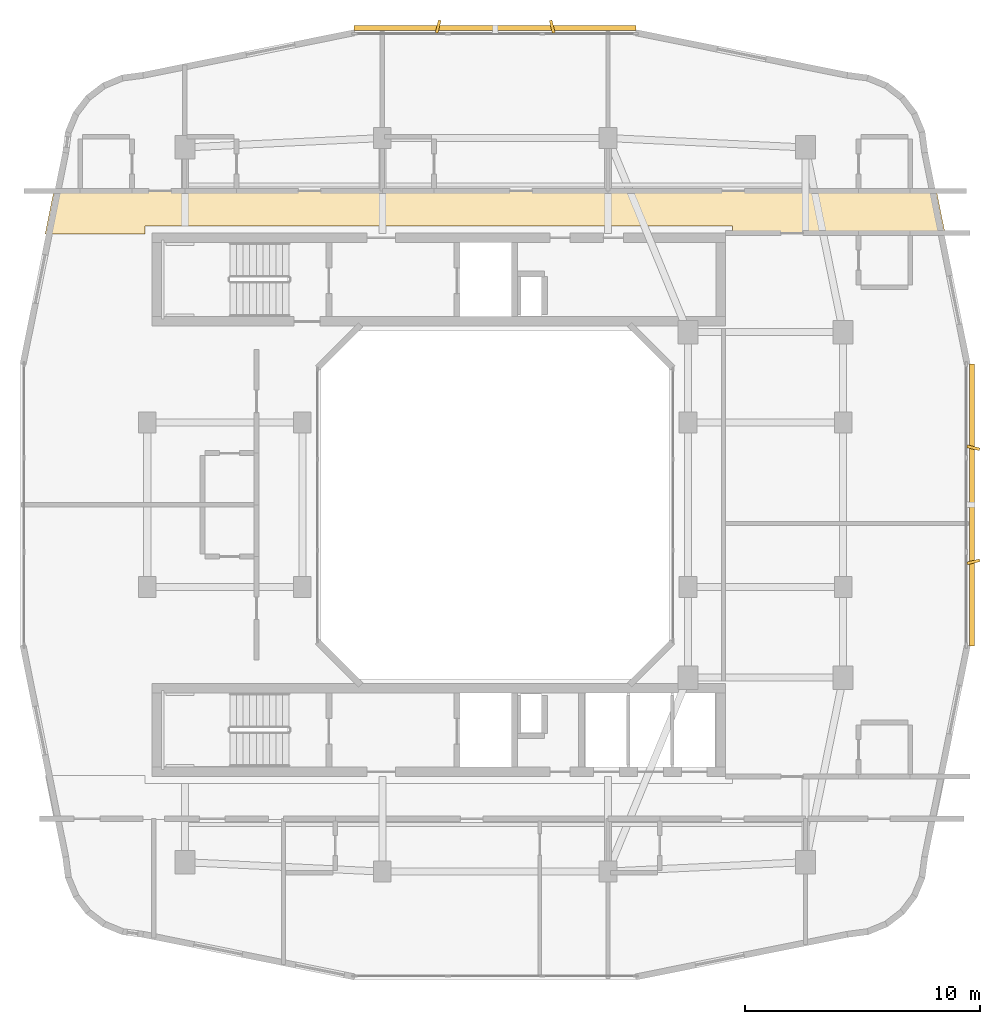
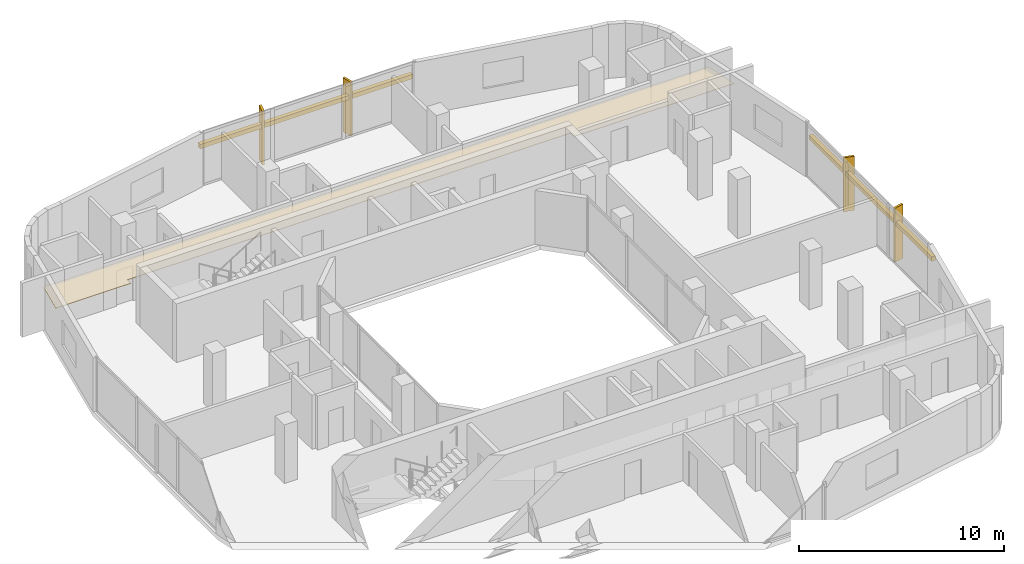
# One storey, part 14 of 14: 6 shading devices, 1 covering.
"""IFC4 building model written with IfcOpenShell, lengths in metres."""

from ifc_helpers import new_model, si_unit, derived_unit, direction, frame, origin, origin_2d, place, context, subcontext, project, spatial, polyline, rectangle, outline, extrude, material, layer, layer_set, type_object, element, save


model = new_model("IFC4")

# Units and contexts
model_context = context("Model", 3, precision=1e-05, world=origin(), true_north=direction((0.0, 1.0)))
body_context = subcontext(model_context, "Body", "Model", "MODEL_VIEW")
ifc_project = project(units=[si_unit("LENGTHUNIT", "METRE"), si_unit("AREAUNIT", "SQUARE_METRE"), si_unit("VOLUMEUNIT", "CUBIC_METRE"), si_unit("PLANEANGLEUNIT", "RADIAN"), si_unit("MASSUNIT", "GRAM", prefix="KILO"), derived_unit("THERMALTRANSMITTANCEUNIT", [(si_unit("POWERUNIT", "WATT"), 1), (si_unit("LENGTHUNIT", "METRE"), -2), (si_unit("THERMODYNAMICTEMPERATUREUNIT", "KELVIN"), -1)])], contexts=[model_context])

# Site, building, storey
site_placement = place(None, origin())
site = spatial("IfcSite", under=ifc_project, at=site_placement, CompositionType="ELEMENT")
building_placement = place(site_placement, origin())
building = spatial("IfcBuilding", under=site, at=building_placement, Name="Kivonza Crest Hotel", CompositionType="ELEMENT")
storey_placement = place(building_placement, frame((0.0, 0.0, 162.5)))
storey = spatial("IfcBuildingStorey", under=building, at=storey_placement, Name="L44", CompositionType="ELEMENT", Elevation=162.5)

# Covering
ifc_material_1 = material(Name="Moisture-resistant gypsum plasterboard ceiling", Category="gypsum")
ifc_layer = layer(ifc_material_1, 0.030029296875)
ifc_layer_set = layer_set([ifc_layer], Name="Moisture-resistant gypsum plasterboard ceiling")
covering_type = type_object("IfcCoveringType", Name="CV-CEIL-GYP", PredefinedType="CEILING", material=ifc_layer_set)
covering_placement = place(storey_placement, frame((0.0, 0.0, 2.449951171875)))
element("IfcCovering", 1, at=covering_placement, inside=storey, type_object=covering_type, Name="L44 Hotel North Guest Corridor suspended ceiling", PredefinedType="CEILING", context=body_context, shape_type="SweptSolid", body=[
    extrude(outline(polyline([(2.235107421875, 38.389892578125), (1.85791015625, 36.52001953125), (6.10009765625, 36.52001953125), (6.10009765625, 36.860107421875), (31.10009765625, 36.860107421875), (31.10009765625, 36.52001953125), (40.14208984375, 36.52001953125), (39.764892578125, 38.389892578125), (2.235107421875, 38.389892578125)])), origin(), (0.0, 0.0, 1.0), 0.030029296875),
])

# Shading devices
ifc_material_2 = material(Name="Kiln-fired Nairobi red-ochre terracotta", Category="masonry")
shading_device_type_1 = type_object("IfcShadingDeviceType", Name="SH-BAGUETTE-300", PredefinedType="USERDEFINED", material=ifc_material_2)
for number, where, z_axis, x_axis, name in (
    (2, (41.280029296875, 25.0, 2.1240234375), (0.0, 0.0, 1.0), (0.0, 1.0, 0.0), "L44 terracotta baguette screen CW-T1-L44-17"),
    (3, (21.0, 45.280029296875, 2.1240234375), (0.0, 0.0, 1.0), (-1.0, 0.0, 0.0), "L44 terracotta baguette screen CW-T1-L44-26"),
):
    element("IfcShadingDevice", number, at=place(storey_placement, frame(where, z_axis=z_axis, x_axis=x_axis)), inside=storey, type_object=shading_device_type_1, Name=name, ObjectType="BAGUETTE", PredefinedType="USERDEFINED", context=body_context, shape_type="SweptSolid", body=[
        extrude(rectangle(XDim=12.0, YDim=0.219970703125, at=origin_2d()), origin(), (0.0, 0.0, 1.0), 0.260009765625),
    ])
ifc_material_3 = material(Name="Kiln-fired terracotta over extruded aluminium spine", Category="masonry")
shading_device_type_2 = type_object("IfcShadingDeviceType", Name="SH-FIN-550", PredefinedType="USERDEFINED", material=ifc_material_3)
for number, where, z_axis, x_axis, name in (
    (4, (41.340087890625, 22.575927734375, 0.0), (0.0, 0.0, 1.0), (-0.2419218956, 0.970295726276, 0.0), "L44 vertical solar shading fin CW-T1-L44-17-1"),
    (5, (41.340087890625, 27.424072265625, 0.0), (0.0, 0.0, 1.0), (0.2419218956, 0.970295726276, 0.0), "L44 vertical solar shading fin CW-T1-L44-17-2"),
    (6, (23.424072265625, 45.340087890625, 0.0), (0.0, 0.0, 1.0), (-0.970295726276, -0.2419218956, 0.0), "L44 vertical solar shading fin CW-T1-L44-26-1"),
    (7, (18.575927734375, 45.340087890625, 0.0), (0.0, 0.0, 1.0), (-0.970295726276, 0.2419218956, 0.0), "L44 vertical solar shading fin CW-T1-L44-26-2"),
):
    element("IfcShadingDevice", number, at=place(storey_placement, frame(where, z_axis=z_axis, x_axis=x_axis)), inside=storey, type_object=shading_device_type_2, Name=name, ObjectType="FIN", PredefinedType="USERDEFINED", context=body_context, shape_type="SweptSolid", body=[
        extrude(rectangle(XDim=0.1201171875, YDim=0.550048828125, at=origin_2d()), origin(), (0.0, 0.0, 1.0), 3.219970703125),
    ])

save(model, "model.ifc")
